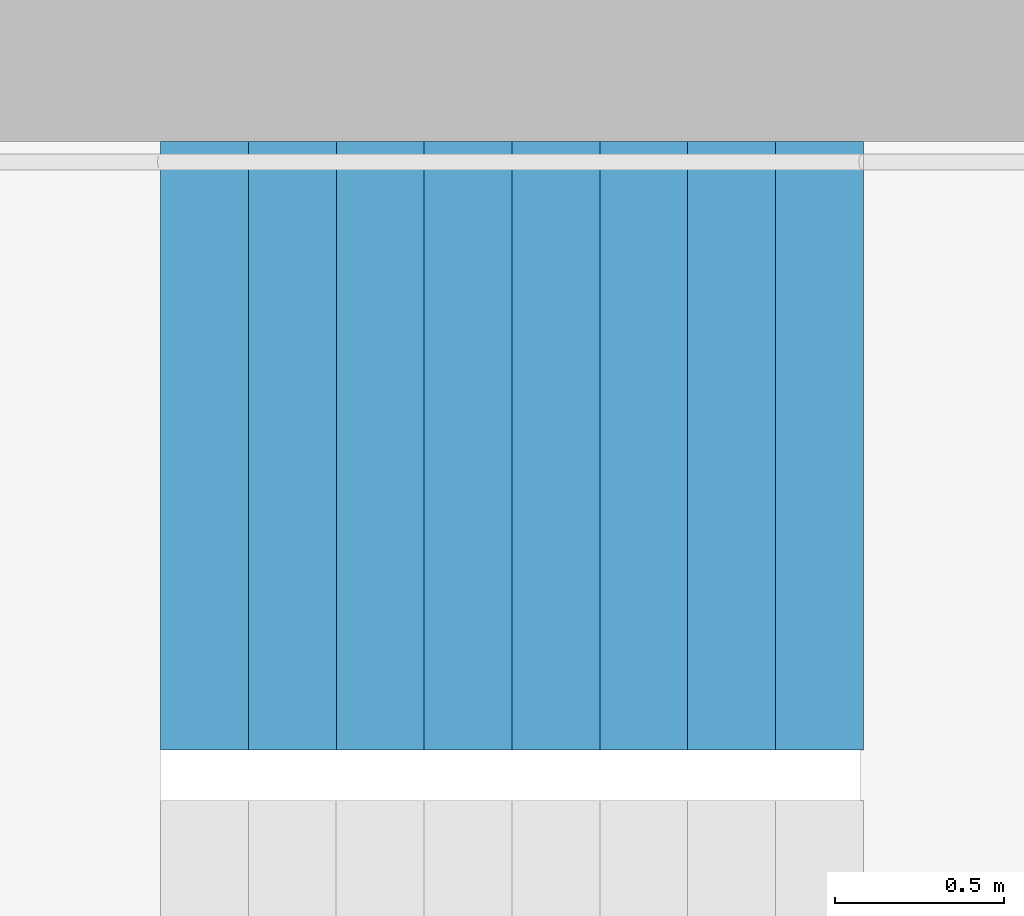
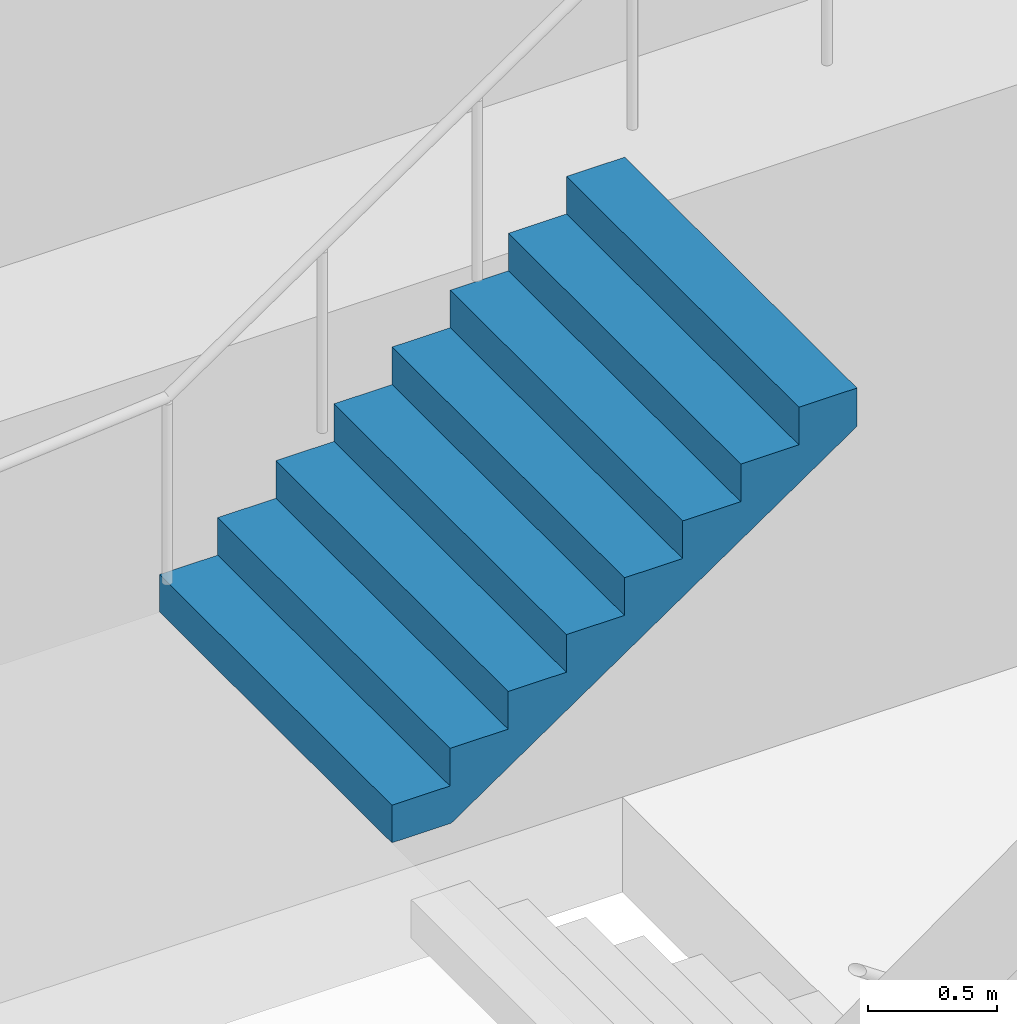
# One storey, part 25 of 26: 1 stair flight, 1 element without a shape of its own.
"""IFC4 building model written with IfcOpenShell, lengths in metres."""

from ifc_helpers import new_model, si_unit, direction, frame, origin, place, context, subcontext, project, spatial, triangles, material, type_object, element, aggregate, save


model = new_model("IFC4")

# Units and contexts
model_context = context("Model", 3, precision=1e-05, world=origin(), true_north=direction((0.0, 1.0)))
body_context = subcontext(model_context, "Body", "Model", "MODEL_VIEW")
ifc_project = project(units=[si_unit("LENGTHUNIT", "METRE"), si_unit("AREAUNIT", "SQUARE_METRE"), si_unit("VOLUMEUNIT", "CUBIC_METRE"), si_unit("PLANEANGLEUNIT", "RADIAN"), si_unit("MASSUNIT", "GRAM", prefix="KILO")], contexts=[model_context])

# Site, building, storey
site_placement = place(None, origin())
site = spatial("IfcSite", under=ifc_project, at=site_placement, CompositionType="ELEMENT")
building_placement = place(site_placement, origin())
building = spatial("IfcBuilding", under=site, at=building_placement, Name="Hakoniwa Tower and Hamabe Station Hall", CompositionType="ELEMENT")
storey_placement = place(building_placement, frame((0.0, 0.0, 221.800048828125)))
storey = spatial("IfcBuildingStorey", under=building, at=storey_placement, Name="L63", CompositionType="ELEMENT", Elevation=221.800048828125)

# Stair, stair flight
ifc_material_1 = material(Name="Concrete C40", Category="concrete")
stair_type = type_object("IfcStairType", Name="ESCAPE STAIR 1800", PredefinedType="HALF_TURN_STAIR", material=ifc_material_1)
stair_placement = place(storey_placement, origin())
stair = element("IfcStair", 1, at=stair_placement, inside=storey, type_object=stair_type, Name="Escape stair ST-3 L63", PredefinedType="HALF_TURN_STAIR")
ifc_material_2 = material(Name="Concrete C40", Category="concrete")
stair_flight_type = type_object("IfcStairFlightType", Name="STAIR FLIGHT 1800", PredefinedType="STRAIGHT", material=ifc_material_2)
stair_flight_placement = place(storey_placement, frame((22.320068359375, 6.60009765625, 1.599853515625), z_axis=(0.0, 0.0, 1.0), x_axis=(1.0, 0.0, 0.0)))
stair_flight = element("IfcStairFlight", 2, at=stair_flight_placement, type_object=stair_flight_type, Name="ST-3 flight 2", NumberOfRisers=9, NumberOfTreads=8, PredefinedType="STRAIGHT", RiserHeight=0.177777778, TreadLength=0.26, context=body_context, shape_type="Tessellation", body=[
    triangles([(0.0, 0.89990234375, 0.0), (0.260009765625, 0.89990234375, 0.0), (0.265625, 0.89990234375, 0.0), (0.52001953125, 0.89990234375, 0.174072265625), (0.780029296875, 0.89990234375, 0.351806640625), (1.0400390625, 0.89990234375, 0.529541015625), (1.300048828125, 0.89990234375, 0.707275390625), (1.56005859375, 0.89990234375, 0.885009765625), (1.820068359375, 0.89990234375, 1.062744140625), (2.080078125, 0.89990234375, 1.24072265625), (2.080078125, 0.89990234375, 1.422119140625), (1.820068359375, 0.89990234375, 1.422119140625), (1.820068359375, 0.89990234375, 1.244384765625), (1.56005859375, 0.89990234375, 1.244384765625), (1.56005859375, 0.89990234375, 1.066650390625), (1.300048828125, 0.89990234375, 1.066650390625), (1.300048828125, 0.89990234375, 0.888916015625), (1.0400390625, 0.89990234375, 0.888916015625), (1.0400390625, 0.89990234375, 0.711181640625), (0.780029296875, 0.89990234375, 0.711181640625), (0.780029296875, 0.89990234375, 0.533447265625), (0.52001953125, 0.89990234375, 0.533447265625), (0.52001953125, 0.89990234375, 0.35546875), (0.265625, 0.89990234375, 0.35546875), (0.260009765625, 0.89990234375, 0.35546875), (0.260009765625, 0.89990234375, 0.177734375), (0.0, 0.89990234375, 0.177734375), (0.0, 0.06005859375, 0.0), (0.260009765625, 0.06005859375, 0.0), (0.265625, 0.06005859375, 0.0), (0.52001953125, 0.06005859375, 0.174072265625), (0.780029296875, 0.06005859375, 0.351806640625), (1.0400390625, 0.06005859375, 0.529541015625), (1.300048828125, 0.06005859375, 0.707275390625), (1.56005859375, 0.06005859375, 0.885009765625), (1.820068359375, 0.06005859375, 1.062744140625), (2.080078125, 0.06005859375, 1.24072265625), (2.080078125, 0.06005859375, 1.422119140625), (1.820068359375, 0.06005859375, 1.422119140625), (1.820068359375, 0.06005859375, 1.244384765625), (1.56005859375, 0.06005859375, 1.244384765625), (1.56005859375, 0.06005859375, 1.066650390625), (1.300048828125, 0.06005859375, 1.066650390625), (1.300048828125, 0.06005859375, 0.888916015625), (1.0400390625, 0.06005859375, 0.888916015625), (1.0400390625, 0.06005859375, 0.711181640625), (0.780029296875, 0.06005859375, 0.711181640625), (0.780029296875, 0.06005859375, 0.533447265625), (0.52001953125, 0.06005859375, 0.533447265625), (0.52001953125, 0.06005859375, 0.35546875), (0.265625, 0.06005859375, 0.35546875), (0.260009765625, 0.06005859375, 0.35546875), (0.260009765625, 0.06005859375, 0.177734375), (0.0, 0.06005859375, 0.177734375), (0.0, 0.04296875, 0.0), (0.260009765625, 0.04296875, 0.0), (0.265625, 0.04296875, 0.0), (0.52001953125, 0.04296875, 0.174072265625), (0.780029296875, 0.04296875, 0.351806640625), (1.0400390625, 0.04296875, 0.529541015625), (1.300048828125, 0.04296875, 0.707275390625), (1.56005859375, 0.04296875, 0.885009765625), (1.820068359375, 0.04296875, 1.062744140625), (2.080078125, 0.04296875, 1.24072265625), (2.080078125, 0.04296875, 1.422119140625), (1.820068359375, 0.04296875, 1.422119140625), (1.820068359375, 0.04296875, 1.244384765625), (1.56005859375, 0.04296875, 1.244384765625), (1.56005859375, 0.04296875, 1.066650390625), (1.300048828125, 0.04296875, 1.066650390625), (1.300048828125, 0.04296875, 0.888916015625), (1.0400390625, 0.04296875, 0.888916015625), (1.0400390625, 0.04296875, 0.711181640625), (0.780029296875, 0.04296875, 0.711181640625), (0.780029296875, 0.04296875, 0.533447265625), (0.52001953125, 0.04296875, 0.533447265625), (0.52001953125, 0.04296875, 0.35546875), (0.265625, 0.04296875, 0.35546875), (0.260009765625, 0.04296875, 0.35546875), (0.260009765625, 0.04296875, 0.177734375), (0.0, 0.04296875, 0.177734375), (0.0, 0.025634765625, 0.0), (0.260009765625, 0.025634765625, 0.0), (0.265625, 0.025634765625, 0.0), (0.52001953125, 0.025634765625, 0.174072265625), (0.780029296875, 0.025634765625, 0.351806640625), (1.0400390625, 0.025634765625, 0.529541015625), (1.300048828125, 0.025634765625, 0.707275390625), (1.56005859375, 0.025634765625, 0.885009765625), (1.820068359375, 0.025634765625, 1.062744140625), (2.080078125, 0.025634765625, 1.24072265625), (2.080078125, 0.025634765625, 1.422119140625), (1.820068359375, 0.025634765625, 1.422119140625), (1.820068359375, 0.025634765625, 1.244384765625), (1.56005859375, 0.025634765625, 1.244384765625), (1.56005859375, 0.025634765625, 1.066650390625), (1.300048828125, 0.025634765625, 1.066650390625), (1.300048828125, 0.025634765625, 0.888916015625), (1.0400390625, 0.025634765625, 0.888916015625), (1.0400390625, 0.025634765625, 0.711181640625), (0.780029296875, 0.025634765625, 0.711181640625), (0.780029296875, 0.025634765625, 0.533447265625), (0.52001953125, 0.025634765625, 0.533447265625), (0.52001953125, 0.025634765625, 0.35546875), (0.265625, 0.025634765625, 0.35546875), (0.260009765625, 0.025634765625, 0.35546875), (0.260009765625, 0.025634765625, 0.177734375), (0.0, 0.025634765625, 0.177734375), (0.0, 0.008544921875, 0.0), (0.260009765625, 0.008544921875, 0.0), (0.265625, 0.008544921875, 0.0), (0.52001953125, 0.008544921875, 0.174072265625), (0.780029296875, 0.008544921875, 0.351806640625), (1.0400390625, 0.008544921875, 0.529541015625), (1.300048828125, 0.008544921875, 0.707275390625), (1.56005859375, 0.008544921875, 0.885009765625), (1.820068359375, 0.008544921875, 1.062744140625), (2.080078125, 0.008544921875, 1.24072265625), (2.080078125, 0.008544921875, 1.422119140625), (1.820068359375, 0.008544921875, 1.422119140625), (1.820068359375, 0.008544921875, 1.244384765625), (1.56005859375, 0.008544921875, 1.244384765625), (1.56005859375, 0.008544921875, 1.066650390625), (1.300048828125, 0.008544921875, 1.066650390625), (1.300048828125, 0.008544921875, 0.888916015625), (1.0400390625, 0.008544921875, 0.888916015625), (1.0400390625, 0.008544921875, 0.711181640625), (0.780029296875, 0.008544921875, 0.711181640625), (0.780029296875, 0.008544921875, 0.533447265625), (0.52001953125, 0.008544921875, 0.533447265625), (0.52001953125, 0.008544921875, 0.35546875), (0.265625, 0.008544921875, 0.35546875), (0.260009765625, 0.008544921875, 0.35546875), (0.260009765625, 0.008544921875, 0.177734375), (0.0, 0.008544921875, 0.177734375), (0.0, -0.008544921875, 0.0), (0.260009765625, -0.008544921875, 0.0), (0.265625, -0.008544921875, 0.0), (0.52001953125, -0.008544921875, 0.174072265625), (0.780029296875, -0.008544921875, 0.351806640625), (1.0400390625, -0.008544921875, 0.529541015625), (1.300048828125, -0.008544921875, 0.707275390625), (1.56005859375, -0.008544921875, 0.885009765625), (1.820068359375, -0.008544921875, 1.062744140625), (2.080078125, -0.008544921875, 1.24072265625), (2.080078125, -0.008544921875, 1.422119140625), (1.820068359375, -0.008544921875, 1.422119140625), (1.820068359375, -0.008544921875, 1.244384765625), (1.56005859375, -0.008544921875, 1.244384765625), (1.56005859375, -0.008544921875, 1.066650390625), (1.300048828125, -0.008544921875, 1.066650390625), (1.300048828125, -0.008544921875, 0.888916015625), (1.0400390625, -0.008544921875, 0.888916015625), (1.0400390625, -0.008544921875, 0.711181640625), (0.780029296875, -0.008544921875, 0.711181640625), (0.780029296875, -0.008544921875, 0.533447265625), (0.52001953125, -0.008544921875, 0.533447265625), (0.52001953125, -0.008544921875, 0.35546875), (0.265625, -0.008544921875, 0.35546875), (0.260009765625, -0.008544921875, 0.35546875), (0.260009765625, -0.008544921875, 0.177734375), (0.0, -0.008544921875, 0.177734375), (0.0, -0.025634765625, 0.0), (0.260009765625, -0.025634765625, 0.0), (0.265625, -0.025634765625, 0.0), (0.52001953125, -0.025634765625, 0.174072265625), (0.780029296875, -0.025634765625, 0.351806640625), (1.0400390625, -0.025634765625, 0.529541015625), (1.300048828125, -0.025634765625, 0.707275390625), (1.56005859375, -0.025634765625, 0.885009765625), (1.820068359375, -0.025634765625, 1.062744140625), (2.080078125, -0.025634765625, 1.24072265625), (2.080078125, -0.025634765625, 1.422119140625), (1.820068359375, -0.025634765625, 1.422119140625), (1.820068359375, -0.025634765625, 1.244384765625), (1.56005859375, -0.025634765625, 1.244384765625), (1.56005859375, -0.025634765625, 1.066650390625), (1.300048828125, -0.025634765625, 1.066650390625), (1.300048828125, -0.025634765625, 0.888916015625), (1.0400390625, -0.025634765625, 0.888916015625), (1.0400390625, -0.025634765625, 0.711181640625), (0.780029296875, -0.025634765625, 0.711181640625), (0.780029296875, -0.025634765625, 0.533447265625), (0.52001953125, -0.025634765625, 0.533447265625), (0.52001953125, -0.025634765625, 0.35546875), (0.265625, -0.025634765625, 0.35546875), (0.260009765625, -0.025634765625, 0.35546875), (0.260009765625, -0.025634765625, 0.177734375), (0.0, -0.025634765625, 0.177734375), (0.0, -0.04296875, 0.0), (0.260009765625, -0.04296875, 0.0), (0.265625, -0.04296875, 0.0), (0.52001953125, -0.04296875, 0.174072265625), (0.780029296875, -0.04296875, 0.351806640625), (1.0400390625, -0.04296875, 0.529541015625), (1.300048828125, -0.04296875, 0.707275390625), (1.56005859375, -0.04296875, 0.885009765625), (1.820068359375, -0.04296875, 1.062744140625), (2.080078125, -0.04296875, 1.24072265625), (2.080078125, -0.04296875, 1.422119140625), (1.820068359375, -0.04296875, 1.422119140625), (1.820068359375, -0.04296875, 1.244384765625), (1.56005859375, -0.04296875, 1.244384765625), (1.56005859375, -0.04296875, 1.066650390625), (1.300048828125, -0.04296875, 1.066650390625), (1.300048828125, -0.04296875, 0.888916015625), (1.0400390625, -0.04296875, 0.888916015625), (1.0400390625, -0.04296875, 0.711181640625), (0.780029296875, -0.04296875, 0.711181640625), (0.780029296875, -0.04296875, 0.533447265625), (0.52001953125, -0.04296875, 0.533447265625), (0.52001953125, -0.04296875, 0.35546875), (0.265625, -0.04296875, 0.35546875), (0.260009765625, -0.04296875, 0.35546875), (0.260009765625, -0.04296875, 0.177734375), (0.0, -0.04296875, 0.177734375), (0.0, -0.06005859375, 0.0), (0.260009765625, -0.06005859375, 0.0), (0.265625, -0.06005859375, 0.0), (0.52001953125, -0.06005859375, 0.174072265625), (0.780029296875, -0.06005859375, 0.351806640625), (1.0400390625, -0.06005859375, 0.529541015625), (1.300048828125, -0.06005859375, 0.707275390625), (1.56005859375, -0.06005859375, 0.885009765625), (1.820068359375, -0.06005859375, 1.062744140625), (2.080078125, -0.06005859375, 1.24072265625), (2.080078125, -0.06005859375, 1.422119140625), (1.820068359375, -0.06005859375, 1.422119140625), (1.820068359375, -0.06005859375, 1.244384765625), (1.56005859375, -0.06005859375, 1.244384765625), (1.56005859375, -0.06005859375, 1.066650390625), (1.300048828125, -0.06005859375, 1.066650390625), (1.300048828125, -0.06005859375, 0.888916015625), (1.0400390625, -0.06005859375, 0.888916015625), (1.0400390625, -0.06005859375, 0.711181640625), (0.780029296875, -0.06005859375, 0.711181640625), (0.780029296875, -0.06005859375, 0.533447265625), (0.52001953125, -0.06005859375, 0.533447265625), (0.52001953125, -0.06005859375, 0.35546875), (0.265625, -0.06005859375, 0.35546875), (0.260009765625, -0.06005859375, 0.35546875), (0.260009765625, -0.06005859375, 0.177734375), (0.0, -0.06005859375, 0.177734375), (0.0, -0.89990234375, 0.0), (0.260009765625, -0.89990234375, 0.0), (0.265625, -0.89990234375, 0.0), (0.52001953125, -0.89990234375, 0.174072265625), (0.780029296875, -0.89990234375, 0.351806640625), (1.0400390625, -0.89990234375, 0.529541015625), (1.300048828125, -0.89990234375, 0.707275390625), (1.56005859375, -0.89990234375, 0.885009765625), (1.820068359375, -0.89990234375, 1.062744140625), (2.080078125, -0.89990234375, 1.24072265625), (2.080078125, -0.89990234375, 1.422119140625), (1.820068359375, -0.89990234375, 1.422119140625), (1.820068359375, -0.89990234375, 1.244384765625), (1.56005859375, -0.89990234375, 1.244384765625), (1.56005859375, -0.89990234375, 1.066650390625), (1.300048828125, -0.89990234375, 1.066650390625), (1.300048828125, -0.89990234375, 0.888916015625), (1.0400390625, -0.89990234375, 0.888916015625), (1.0400390625, -0.89990234375, 0.711181640625), (0.780029296875, -0.89990234375, 0.711181640625), (0.780029296875, -0.89990234375, 0.533447265625), (0.52001953125, -0.89990234375, 0.533447265625), (0.52001953125, -0.89990234375, 0.35546875), (0.265625, -0.89990234375, 0.35546875), (0.260009765625, -0.89990234375, 0.35546875), (0.260009765625, -0.89990234375, 0.177734375), (0.0, -0.89990234375, 0.177734375)], [[2, 27, 26], [245, 269, 270], [2, 1, 27], [245, 270, 244], [3, 25, 24], [246, 267, 268], [3, 26, 25], [246, 268, 269], [3, 2, 26], [246, 269, 245], [4, 24, 23], [247, 266, 267], [4, 3, 24], [247, 267, 246], [5, 22, 21], [248, 264, 265], [5, 23, 22], [248, 265, 266], [5, 4, 23], [248, 266, 247], [6, 20, 19], [249, 262, 263], [6, 21, 20], [249, 263, 264], [6, 5, 21], [249, 264, 248], [7, 18, 17], [250, 260, 261], [7, 19, 18], [250, 261, 262], [7, 6, 19], [250, 262, 249], [8, 16, 15], [251, 258, 259], [8, 17, 16], [251, 259, 260], [8, 7, 17], [251, 260, 250], [9, 14, 13], [252, 256, 257], [9, 15, 14], [252, 257, 258], [9, 8, 15], [252, 258, 251], [10, 12, 11], [253, 254, 255], [10, 13, 12], [253, 255, 256], [10, 9, 13], [253, 256, 252], [1, 2, 29], [1, 29, 28], [28, 29, 56], [28, 56, 55], [55, 56, 83], [55, 83, 82], [82, 83, 110], [82, 110, 109], [109, 110, 137], [109, 137, 136], [136, 137, 164], [136, 164, 163], [163, 164, 191], [163, 191, 190], [190, 191, 218], [190, 218, 217], [217, 218, 245], [217, 245, 244], [2, 3, 30], [2, 30, 29], [29, 30, 57], [29, 57, 56], [56, 57, 84], [56, 84, 83], [83, 84, 111], [83, 111, 110], [110, 111, 138], [110, 138, 137], [137, 138, 165], [137, 165, 164], [164, 165, 192], [164, 192, 191], [191, 192, 219], [191, 219, 218], [218, 219, 246], [218, 246, 245], [3, 4, 31], [3, 31, 30], [30, 31, 58], [30, 58, 57], [57, 58, 85], [57, 85, 84], [84, 85, 112], [84, 112, 111], [111, 112, 139], [111, 139, 138], [138, 139, 166], [138, 166, 165], [165, 166, 193], [165, 193, 192], [192, 193, 220], [192, 220, 219], [219, 220, 247], [219, 247, 246], [4, 5, 32], [4, 32, 31], [31, 32, 59], [31, 59, 58], [58, 59, 86], [58, 86, 85], [85, 86, 113], [85, 113, 112], [112, 113, 140], [112, 140, 139], [139, 140, 167], [139, 167, 166], [166, 167, 194], [166, 194, 193], [193, 194, 221], [193, 221, 220], [220, 221, 248], [220, 248, 247], [5, 6, 33], [5, 33, 32], [32, 33, 60], [32, 60, 59], [59, 60, 87], [59, 87, 86], [86, 87, 114], [86, 114, 113], [113, 114, 141], [113, 141, 140], [140, 141, 168], [140, 168, 167], [167, 168, 195], [167, 195, 194], [194, 195, 222], [194, 222, 221], [221, 222, 249], [221, 249, 248], [6, 7, 34], [6, 34, 33], [33, 34, 61], [33, 61, 60], [60, 61, 88], [60, 88, 87], [87, 88, 115], [87, 115, 114], [114, 115, 142], [114, 142, 141], [141, 142, 169], [141, 169, 168], [168, 169, 196], [168, 196, 195], [195, 196, 223], [195, 223, 222], [222, 223, 250], [222, 250, 249], [7, 8, 35], [7, 35, 34], [34, 35, 62], [34, 62, 61], [61, 62, 89], [61, 89, 88], [88, 89, 116], [88, 116, 115], [115, 116, 143], [115, 143, 142], [142, 143, 170], [142, 170, 169], [169, 170, 197], [169, 197, 196], [196, 197, 224], [196, 224, 223], [223, 224, 251], [223, 251, 250], [8, 9, 36], [8, 36, 35], [35, 36, 63], [35, 63, 62], [62, 63, 90], [62, 90, 89], [89, 90, 117], [89, 117, 116], [116, 117, 144], [116, 144, 143], [143, 144, 171], [143, 171, 170], [170, 171, 198], [170, 198, 197], [197, 198, 225], [197, 225, 224], [224, 225, 252], [224, 252, 251], [9, 10, 37], [9, 37, 36], [36, 37, 64], [36, 64, 63], [63, 64, 91], [63, 91, 90], [90, 91, 118], [90, 118, 117], [117, 118, 145], [117, 145, 144], [144, 145, 172], [144, 172, 171], [171, 172, 199], [171, 199, 198], [198, 199, 226], [198, 226, 225], [225, 226, 253], [225, 253, 252], [10, 11, 38], [10, 38, 37], [37, 38, 65], [37, 65, 64], [64, 65, 92], [64, 92, 91], [91, 92, 119], [91, 119, 118], [118, 119, 146], [118, 146, 145], [145, 146, 173], [145, 173, 172], [172, 173, 200], [172, 200, 199], [199, 200, 227], [199, 227, 226], [226, 227, 254], [226, 254, 253], [11, 12, 39], [11, 39, 38], [38, 39, 66], [38, 66, 65], [65, 66, 93], [65, 93, 92], [92, 93, 120], [92, 120, 119], [119, 120, 147], [119, 147, 146], [146, 147, 174], [146, 174, 173], [173, 174, 201], [173, 201, 200], [200, 201, 228], [200, 228, 227], [227, 228, 255], [227, 255, 254], [12, 13, 40], [12, 40, 39], [39, 40, 67], [39, 67, 66], [66, 67, 94], [66, 94, 93], [93, 94, 121], [93, 121, 120], [120, 121, 148], [120, 148, 147], [147, 148, 175], [147, 175, 174], [174, 175, 202], [174, 202, 201], [201, 202, 229], [201, 229, 228], [228, 229, 256], [228, 256, 255], [13, 14, 41], [13, 41, 40], [40, 41, 68], [40, 68, 67], [67, 68, 95], [67, 95, 94], [94, 95, 122], [94, 122, 121], [121, 122, 149], [121, 149, 148], [148, 149, 176], [148, 176, 175], [175, 176, 203], [175, 203, 202], [202, 203, 230], [202, 230, 229], [229, 230, 257], [229, 257, 256], [14, 15, 42], [14, 42, 41], [41, 42, 69], [41, 69, 68], [68, 69, 96], [68, 96, 95], [95, 96, 123], [95, 123, 122], [122, 123, 150], [122, 150, 149], [149, 150, 177], [149, 177, 176], [176, 177, 204], [176, 204, 203], [203, 204, 231], [203, 231, 230], [230, 231, 258], [230, 258, 257], [15, 16, 43], [15, 43, 42], [42, 43, 70], [42, 70, 69], [69, 70, 97], [69, 97, 96], [96, 97, 124], [96, 124, 123], [123, 124, 151], [123, 151, 150], [150, 151, 178], [150, 178, 177], [177, 178, 205], [177, 205, 204], [204, 205, 232], [204, 232, 231], [231, 232, 259], [231, 259, 258], [16, 17, 44], [16, 44, 43], [43, 44, 71], [43, 71, 70], [70, 71, 98], [70, 98, 97], [97, 98, 125], [97, 125, 124], [124, 125, 152], [124, 152, 151], [151, 152, 179], [151, 179, 178], [178, 179, 206], [178, 206, 205], [205, 206, 233], [205, 233, 232], [232, 233, 260], [232, 260, 259], [17, 18, 45], [17, 45, 44], [44, 45, 72], [44, 72, 71], [71, 72, 99], [71, 99, 98], [98, 99, 126], [98, 126, 125], [125, 126, 153], [125, 153, 152], [152, 153, 180], [152, 180, 179], [179, 180, 207], [179, 207, 206], [206, 207, 234], [206, 234, 233], [233, 234, 261], [233, 261, 260], [18, 19, 46], [18, 46, 45], [45, 46, 73], [45, 73, 72], [72, 73, 100], [72, 100, 99], [99, 100, 127], [99, 127, 126], [126, 127, 154], [126, 154, 153], [153, 154, 181], [153, 181, 180], [180, 181, 208], [180, 208, 207], [207, 208, 235], [207, 235, 234], [234, 235, 262], [234, 262, 261], [19, 20, 47], [19, 47, 46], [46, 47, 74], [46, 74, 73], [73, 74, 101], [73, 101, 100], [100, 101, 128], [100, 128, 127], [127, 128, 155], [127, 155, 154], [154, 155, 182], [154, 182, 181], [181, 182, 209], [181, 209, 208], [208, 209, 236], [208, 236, 235], [235, 236, 263], [235, 263, 262], [20, 21, 48], [20, 48, 47], [47, 48, 75], [47, 75, 74], [74, 75, 102], [74, 102, 101], [101, 102, 129], [101, 129, 128], [128, 129, 156], [128, 156, 155], [155, 156, 183], [155, 183, 182], [182, 183, 210], [182, 210, 209], [209, 210, 237], [209, 237, 236], [236, 237, 264], [236, 264, 263], [21, 22, 49], [21, 49, 48], [48, 49, 76], [48, 76, 75], [75, 76, 103], [75, 103, 102], [102, 103, 130], [102, 130, 129], [129, 130, 157], [129, 157, 156], [156, 157, 184], [156, 184, 183], [183, 184, 211], [183, 211, 210], [210, 211, 238], [210, 238, 237], [237, 238, 265], [237, 265, 264], [22, 23, 50], [22, 50, 49], [49, 50, 77], [49, 77, 76], [76, 77, 104], [76, 104, 103], [103, 104, 131], [103, 131, 130], [130, 131, 158], [130, 158, 157], [157, 158, 185], [157, 185, 184], [184, 185, 212], [184, 212, 211], [211, 212, 239], [211, 239, 238], [238, 239, 266], [238, 266, 265], [23, 24, 51], [23, 51, 50], [50, 51, 78], [50, 78, 77], [77, 78, 105], [77, 105, 104], [104, 105, 132], [104, 132, 131], [131, 132, 159], [131, 159, 158], [158, 159, 186], [158, 186, 185], [185, 186, 213], [185, 213, 212], [212, 213, 240], [212, 240, 239], [239, 240, 267], [239, 267, 266], [24, 25, 52], [24, 52, 51], [51, 52, 79], [51, 79, 78], [78, 79, 106], [78, 106, 105], [105, 106, 133], [105, 133, 132], [132, 133, 160], [132, 160, 159], [159, 160, 187], [159, 187, 186], [186, 187, 214], [186, 214, 213], [213, 214, 241], [213, 241, 240], [240, 241, 268], [240, 268, 267], [25, 26, 53], [25, 53, 52], [52, 53, 80], [52, 80, 79], [79, 80, 107], [79, 107, 106], [106, 107, 134], [106, 134, 133], [133, 134, 161], [133, 161, 160], [160, 161, 188], [160, 188, 187], [187, 188, 215], [187, 215, 214], [214, 215, 242], [214, 242, 241], [241, 242, 269], [241, 269, 268], [26, 27, 54], [26, 54, 53], [53, 54, 81], [53, 81, 80], [80, 81, 108], [80, 108, 107], [107, 108, 135], [107, 135, 134], [134, 135, 162], [134, 162, 161], [161, 162, 189], [161, 189, 188], [188, 189, 216], [188, 216, 215], [215, 216, 243], [215, 243, 242], [242, 243, 270], [242, 270, 269], [27, 1, 28], [27, 28, 54], [54, 28, 55], [54, 55, 81], [81, 55, 82], [81, 82, 108], [108, 82, 109], [108, 109, 135], [135, 109, 136], [135, 136, 162], [162, 136, 163], [162, 163, 189], [189, 163, 190], [189, 190, 216], [216, 190, 217], [216, 217, 243], [243, 217, 244], [243, 244, 270]], closed=True),
])
aggregate(stair, [stair_flight])

save(model, "model.ifc")
